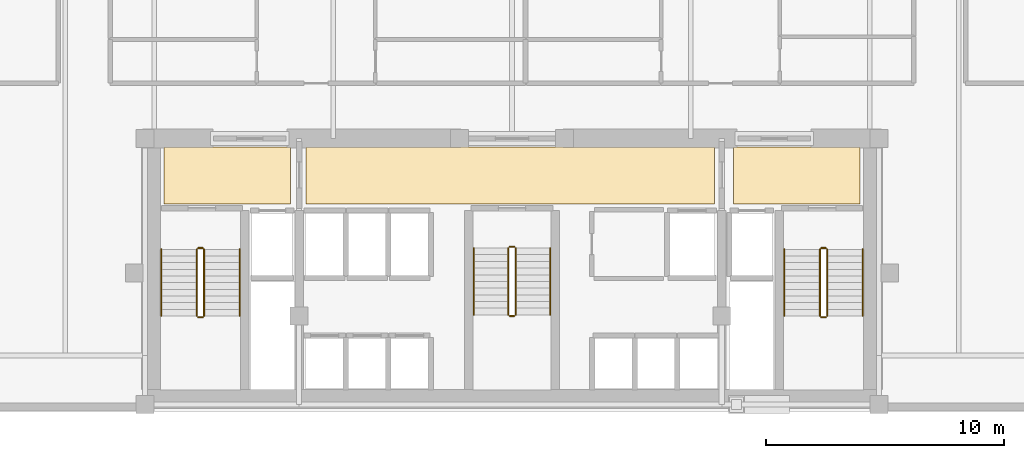
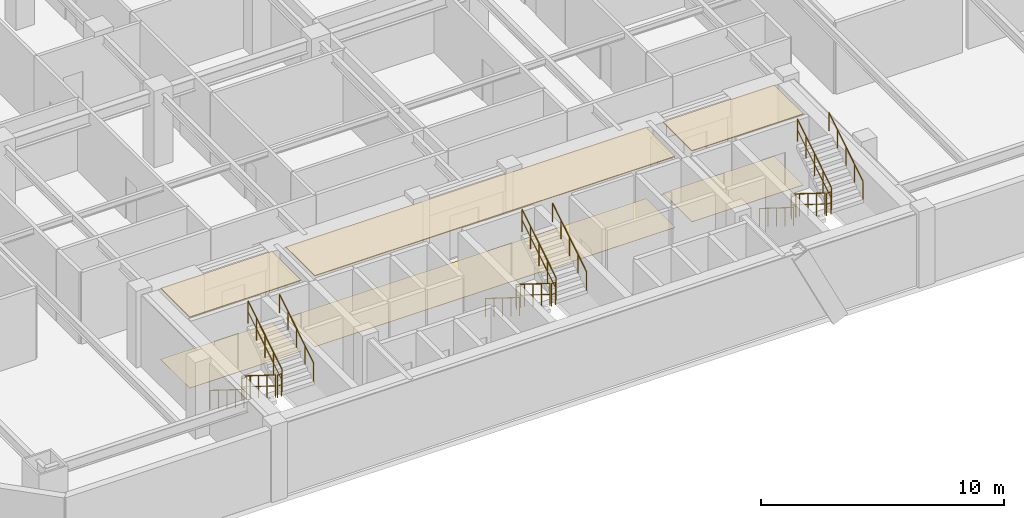
# One storey, part 8 of 8: 18 railings, 6 coverings.
"""IFC4 building model written with IfcOpenShell, lengths in metres."""

from ifc_helpers import new_model, si_unit, direction, frame, origin, origin_2d, place, context, subcontext, project, spatial, polyline, circle, outline, extrude, material, layer, layer_set, type_object, element, save


model = new_model("IFC4")

# Units and contexts
model_context = context("Model", 3, precision=1e-05, world=origin(), true_north=direction((0.0, 1.0)))
body_context = subcontext(model_context, "Body", "Model", "MODEL_VIEW")
ifc_project = project(units=[si_unit("LENGTHUNIT", "METRE"), si_unit("AREAUNIT", "SQUARE_METRE"), si_unit("VOLUMEUNIT", "CUBIC_METRE"), si_unit("PLANEANGLEUNIT", "RADIAN"), si_unit("MASSUNIT", "GRAM", prefix="KILO")], contexts=[model_context])

# Site, building, storey
site_placement = place(None, origin())
site = spatial("IfcSite", under=ifc_project, at=site_placement, CompositionType="ELEMENT")
building_placement = place(site_placement, origin())
building = spatial("IfcBuilding", under=site, at=building_placement, Name="Ventersveld Concourse Tower", CompositionType="ELEMENT")
storey_placement = place(building_placement, frame((0.0, 0.0, 37.5)))
storey = spatial("IfcBuildingStorey", under=building, at=storey_placement, Name="L08", CompositionType="ELEMENT", Elevation=37.5)

# Coverings
ifc_material_1 = material(Name="Mineral-fibre acoustic ceiling tile", Category="gypsum")
ifc_layer_1 = layer(ifc_material_1, 0.0400390625)
ifc_layer_set_1 = layer_set([ifc_layer_1], Name="Mineral-fibre acoustic ceiling tile")
covering_type_1 = type_object("IfcCoveringType", Name="COV-CEIL-ACOUSTIC", PredefinedType="CEILING", material=ifc_layer_set_1)
covering_1_placement = place(storey_placement, frame((0.0, 0.0, 3.56005859375)))
element("IfcCovering", 1, at=covering_1_placement, inside=storey, type_object=covering_type_1, Name="L08 North Lift Lobby Acoustic Ceiling", PredefinedType="CEILING", context=body_context, shape_type="SweptSolid", body=[
    extrude(outline(polyline([(20.10009765625, 8.699951171875), (37.25, 8.699951171875), (37.25, 11.10009765625), (20.10009765625, 11.10009765625), (20.10009765625, 8.699951171875)])), origin(), (0.0, 0.0, 1.0), 0.0400390625),
])
covering_2_placement = place(storey_placement, frame((0.0, 0.0, 3.56005859375)))
element("IfcCovering", 2, at=covering_2_placement, inside=storey, type_object=covering_type_1, Name="L08 West Firefighting Lobby Acoustic Ceiling", PredefinedType="CEILING", context=body_context, shape_type="SweptSolid", body=[
    extrude(outline(polyline([(14.14990234375, 8.699951171875), (19.449951171875, 8.699951171875), (19.449951171875, 11.10009765625), (14.14990234375, 11.10009765625), (14.14990234375, 8.699951171875)])), origin(), (0.0, 0.0, 1.0), 0.0400390625),
])
covering_3_placement = place(storey_placement, frame((0.0, 0.0, 3.56005859375)))
element("IfcCovering", 3, at=covering_3_placement, inside=storey, type_object=covering_type_1, Name="L08 East Firefighting Lobby Acoustic Ceiling", PredefinedType="CEILING", context=body_context, shape_type="SweptSolid", body=[
    extrude(outline(polyline([(38.050048828125, 8.699951171875), (43.35009765625, 8.699951171875), (43.35009765625, 11.10009765625), (38.050048828125, 11.10009765625), (38.050048828125, 8.699951171875)])), origin(), (0.0, 0.0, 1.0), 0.0400390625),
])
ifc_material_2 = material(Name="Polished Highveld granite terrazzo", Category="masonry")
ifc_layer_2 = layer(ifc_material_2, 0.02001953125)
ifc_layer_set_2 = layer_set([ifc_layer_2], Name="Polished Highveld granite terrazzo")
covering_type_2 = type_object("IfcCoveringType", Name="COV-FLOOR-TERRAZZO", PredefinedType="FLOORING", material=ifc_layer_set_2)
covering_4_placement = place(storey_placement, origin())
element("IfcCovering", 4, at=covering_4_placement, inside=storey, type_object=covering_type_2, Name="L08 North Lift Lobby Terrazzo Flooring", PredefinedType="FLOORING", context=body_context, shape_type="SweptSolid", body=[
    extrude(outline(polyline([(20.10009765625, 8.699951171875), (37.25, 8.699951171875), (37.25, 11.10009765625), (20.10009765625, 11.10009765625), (20.10009765625, 8.699951171875)])), origin(), (0.0, 0.0, 1.0), 0.02001953125),
])
covering_5_placement = place(storey_placement, origin())
element("IfcCovering", 5, at=covering_5_placement, inside=storey, type_object=covering_type_2, Name="L08 West Firefighting Lobby Terrazzo Flooring", PredefinedType="FLOORING", context=body_context, shape_type="SweptSolid", body=[
    extrude(outline(polyline([(14.14990234375, 8.699951171875), (19.449951171875, 8.699951171875), (19.449951171875, 11.10009765625), (14.14990234375, 11.10009765625), (14.14990234375, 8.699951171875)])), origin(), (0.0, 0.0, 1.0), 0.02001953125),
])
covering_6_placement = place(storey_placement, origin())
element("IfcCovering", 6, at=covering_6_placement, inside=storey, type_object=covering_type_2, Name="L08 East Firefighting Lobby Terrazzo Flooring", PredefinedType="FLOORING", context=body_context, shape_type="SweptSolid", body=[
    extrude(outline(polyline([(38.050048828125, 8.699951171875), (43.35009765625, 8.699951171875), (43.35009765625, 11.10009765625), (38.050048828125, 11.10009765625), (38.050048828125, 8.699951171875)])), origin(), (0.0, 0.0, 1.0), 0.02001953125),
])

# Railings
ifc_material_3 = material(Name="Brushed stainless steel 316", Category="steel")
railing_type_1 = type_object("IfcRailingType", Name="GD-BAL-115", PredefinedType="GUARDRAIL", material=ifc_material_3)
railing_1_placement = place(storey_placement, frame((15.530029296875, 6.800048828125, 0.175048828125)))
element("IfcRailing", 7, at=railing_1_placement, inside=storey, type_object=railing_type_1, Name="L08 ST-01 stair guard 1", PredefinedType="GUARDRAIL", context=body_context, shape_type="SweptSolid", body=[
    extrude(circle(Radius=0.02392578125, at=origin_2d()), frame((0.0, 0.0, 1.1259765625), z_axis=(0.0, -0.848002457836, 0.529992293815), x_axis=(1.0, 0.0, 0.0)), (0.0, 0.0, 1.0), 3.302001953125),
    extrude(circle(Radius=0.01611328125, at=origin_2d()), frame((0.0, 0.0, 0.574951171875), z_axis=(0.0, -0.848002457836, 0.529992293815), x_axis=(1.0, 0.0, 0.0)), (0.0, 0.0, 1.0), 3.302001953125),
    extrude(circle(Radius=0.02099609375, at=origin_2d()), origin(), (0.0, 0.0, 1.0), 1.101806640625),
    extrude(circle(Radius=0.02099609375, at=origin_2d()), frame((0.0, -0.699951171875, 0.4375)), (0.0, 0.0, 1.0), 1.101806640625),
    extrude(circle(Radius=0.02099609375, at=origin_2d()), frame((0.0, -1.39990234375, 0.875)), (0.0, 0.0, 1.0), 1.101806640625),
    extrude(circle(Radius=0.02099609375, at=origin_2d()), frame((0.0, -2.10009765625, 1.3125)), (0.0, 0.0, 1.0), 1.101806640625),
    extrude(circle(Radius=0.02099609375, at=origin_2d()), frame((0.0, -2.800048828125, 1.75)), (0.0, 0.0, 1.0), 1.101806640625),
])
railing_2_placement = place(storey_placement, frame((15.580078125, 3.949951171875, 1.925048828125)))
element("IfcRailing", 8, at=railing_2_placement, inside=storey, type_object=railing_type_1, Name="L08 ST-01 stair guard 2", PredefinedType="GUARDRAIL", context=body_context, shape_type="SweptSolid", body=[
    extrude(circle(Radius=0.02392578125, at=origin_2d()), frame((0.0, 0.0, 1.1259765625), z_axis=(1.0, 0.0, 0.0), x_axis=(0.0, 1.0, 0.0)), (0.0, 0.0, 1.0), 0.199951171875),
    extrude(circle(Radius=0.01611328125, at=origin_2d()), frame((0.0, 0.0, 0.574951171875), z_axis=(1.0, 0.0, 0.0), x_axis=(0.0, 1.0, 0.0)), (0.0, 0.0, 1.0), 0.199951171875),
    extrude(circle(Radius=0.02099609375, at=origin_2d()), origin(), (0.0, 0.0, 1.0), 1.101806640625),
    extrude(circle(Radius=0.02099609375, at=origin_2d()), frame((0.199951171875, 0.0, 0.0)), (0.0, 0.0, 1.0), 1.101806640625),
])
railing_3_placement = place(storey_placement, frame((15.830078125, 4.0, 2.10009765625)))
element("IfcRailing", 9, at=railing_3_placement, inside=storey, type_object=railing_type_1, Name="L08 ST-01 stair guard 3", PredefinedType="GUARDRAIL", context=body_context, shape_type="SweptSolid", body=[
    extrude(circle(Radius=0.02392578125, at=origin_2d()), frame((0.0, 0.0, 1.1259765625), z_axis=(0.0, 0.848002457836, 0.529992293815), x_axis=(-1.0, 0.0, 0.0)), (0.0, 0.0, 1.0), 3.302001953125),
    extrude(circle(Radius=0.01611328125, at=origin_2d()), frame((0.0, 0.0, 0.574951171875), z_axis=(0.0, 0.848002457836, 0.529992293815), x_axis=(-1.0, 0.0, 0.0)), (0.0, 0.0, 1.0), 3.302001953125),
    extrude(circle(Radius=0.02099609375, at=origin_2d()), origin(), (0.0, 0.0, 1.0), 1.101806640625),
    extrude(circle(Radius=0.02099609375, at=origin_2d()), frame((0.0, 0.699951171875, 0.4375)), (0.0, 0.0, 1.0), 1.101806640625),
    extrude(circle(Radius=0.02099609375, at=origin_2d()), frame((0.0, 1.39990234375, 0.875)), (0.0, 0.0, 1.0), 1.101806640625),
    extrude(circle(Radius=0.02099609375, at=origin_2d()), frame((0.0, 2.10009765625, 1.3125)), (0.0, 0.0, 1.0), 1.101806640625),
    extrude(circle(Radius=0.02099609375, at=origin_2d()), frame((0.0, 2.800048828125, 1.75)), (0.0, 0.0, 1.0), 1.101806640625),
])
railing_4_placement = place(storey_placement, frame((15.580078125, 6.85009765625, 0.0)))
element("IfcRailing", 10, at=railing_4_placement, inside=storey, type_object=railing_type_1, Name="L08 ST-01 stair guard 4", PredefinedType="GUARDRAIL", context=body_context, shape_type="SweptSolid", body=[
    extrude(circle(Radius=0.02392578125, at=origin_2d()), frame((0.0, 0.0, 1.1259765625), z_axis=(1.0, 0.0, 0.0), x_axis=(0.0, 1.0, 0.0)), (0.0, 0.0, 1.0), 0.199951171875),
    extrude(circle(Radius=0.01611328125, at=origin_2d()), frame((0.0, 0.0, 0.574951171875), z_axis=(1.0, 0.0, 0.0), x_axis=(0.0, 1.0, 0.0)), (0.0, 0.0, 1.0), 0.199951171875),
    extrude(circle(Radius=0.02099609375, at=origin_2d()), origin(), (0.0, 0.0, 1.0), 1.101806640625),
    extrude(circle(Radius=0.02099609375, at=origin_2d()), frame((0.199951171875, 0.0, 0.0)), (0.0, 0.0, 1.0), 1.101806640625),
])
railing_5_placement = place(storey_placement, frame((41.669921875, 6.800048828125, 0.175048828125)))
element("IfcRailing", 11, at=railing_5_placement, inside=storey, type_object=railing_type_1, Name="L08 ST-02 stair guard 1", PredefinedType="GUARDRAIL", context=body_context, shape_type="SweptSolid", body=[
    extrude(circle(Radius=0.02392578125, at=origin_2d()), frame((0.0, 0.0, 1.1259765625), z_axis=(0.0, -0.848002457836, 0.529992293815), x_axis=(1.0, 0.0, 0.0)), (0.0, 0.0, 1.0), 3.302001953125),
    extrude(circle(Radius=0.01611328125, at=origin_2d()), frame((0.0, 0.0, 0.574951171875), z_axis=(0.0, -0.848002457836, 0.529992293815), x_axis=(1.0, 0.0, 0.0)), (0.0, 0.0, 1.0), 3.302001953125),
    extrude(circle(Radius=0.02099609375, at=origin_2d()), origin(), (0.0, 0.0, 1.0), 1.101806640625),
    extrude(circle(Radius=0.02099609375, at=origin_2d()), frame((0.0, -0.699951171875, 0.4375)), (0.0, 0.0, 1.0), 1.101806640625),
    extrude(circle(Radius=0.02099609375, at=origin_2d()), frame((0.0, -1.39990234375, 0.875)), (0.0, 0.0, 1.0), 1.101806640625),
    extrude(circle(Radius=0.02099609375, at=origin_2d()), frame((0.0, -2.10009765625, 1.3125)), (0.0, 0.0, 1.0), 1.101806640625),
    extrude(circle(Radius=0.02099609375, at=origin_2d()), frame((0.0, -2.800048828125, 1.75)), (0.0, 0.0, 1.0), 1.101806640625),
])
railing_6_placement = place(storey_placement, frame((41.719970703125, 3.949951171875, 1.925048828125)))
element("IfcRailing", 12, at=railing_6_placement, inside=storey, type_object=railing_type_1, Name="L08 ST-02 stair guard 2", PredefinedType="GUARDRAIL", context=body_context, shape_type="SweptSolid", body=[
    extrude(circle(Radius=0.02392578125, at=origin_2d()), frame((0.0, 0.0, 1.1259765625), z_axis=(1.0, 0.0, 0.0), x_axis=(0.0, 1.0, 0.0)), (0.0, 0.0, 1.0), 0.199951171875),
    extrude(circle(Radius=0.01611328125, at=origin_2d()), frame((0.0, 0.0, 0.574951171875), z_axis=(1.0, 0.0, 0.0), x_axis=(0.0, 1.0, 0.0)), (0.0, 0.0, 1.0), 0.199951171875),
    extrude(circle(Radius=0.02099609375, at=origin_2d()), origin(), (0.0, 0.0, 1.0), 1.101806640625),
    extrude(circle(Radius=0.02099609375, at=origin_2d()), frame((0.199951171875, 0.0, 0.0)), (0.0, 0.0, 1.0), 1.101806640625),
])
railing_7_placement = place(storey_placement, frame((41.969970703125, 4.0, 2.10009765625)))
element("IfcRailing", 13, at=railing_7_placement, inside=storey, type_object=railing_type_1, Name="L08 ST-02 stair guard 3", PredefinedType="GUARDRAIL", context=body_context, shape_type="SweptSolid", body=[
    extrude(circle(Radius=0.02392578125, at=origin_2d()), frame((0.0, 0.0, 1.1259765625), z_axis=(0.0, 0.848002457836, 0.529992293815), x_axis=(-1.0, 0.0, 0.0)), (0.0, 0.0, 1.0), 3.302001953125),
    extrude(circle(Radius=0.01611328125, at=origin_2d()), frame((0.0, 0.0, 0.574951171875), z_axis=(0.0, 0.848002457836, 0.529992293815), x_axis=(-1.0, 0.0, 0.0)), (0.0, 0.0, 1.0), 3.302001953125),
    extrude(circle(Radius=0.02099609375, at=origin_2d()), origin(), (0.0, 0.0, 1.0), 1.101806640625),
    extrude(circle(Radius=0.02099609375, at=origin_2d()), frame((0.0, 0.699951171875, 0.4375)), (0.0, 0.0, 1.0), 1.101806640625),
    extrude(circle(Radius=0.02099609375, at=origin_2d()), frame((0.0, 1.39990234375, 0.875)), (0.0, 0.0, 1.0), 1.101806640625),
    extrude(circle(Radius=0.02099609375, at=origin_2d()), frame((0.0, 2.10009765625, 1.3125)), (0.0, 0.0, 1.0), 1.101806640625),
    extrude(circle(Radius=0.02099609375, at=origin_2d()), frame((0.0, 2.800048828125, 1.75)), (0.0, 0.0, 1.0), 1.101806640625),
])
railing_8_placement = place(storey_placement, frame((41.719970703125, 6.85009765625, 0.0)))
element("IfcRailing", 14, at=railing_8_placement, inside=storey, type_object=railing_type_1, Name="L08 ST-02 stair guard 4", PredefinedType="GUARDRAIL", context=body_context, shape_type="SweptSolid", body=[
    extrude(circle(Radius=0.02392578125, at=origin_2d()), frame((0.0, 0.0, 1.1259765625), z_axis=(1.0, 0.0, 0.0), x_axis=(0.0, 1.0, 0.0)), (0.0, 0.0, 1.0), 0.199951171875),
    extrude(circle(Radius=0.01611328125, at=origin_2d()), frame((0.0, 0.0, 0.574951171875), z_axis=(1.0, 0.0, 0.0), x_axis=(0.0, 1.0, 0.0)), (0.0, 0.0, 1.0), 0.199951171875),
    extrude(circle(Radius=0.02099609375, at=origin_2d()), origin(), (0.0, 0.0, 1.0), 1.101806640625),
    extrude(circle(Radius=0.02099609375, at=origin_2d()), frame((0.199951171875, 0.0, 0.0)), (0.0, 0.0, 1.0), 1.101806640625),
])
railing_9_placement = place(storey_placement, frame((28.60009765625, 6.85009765625, 0.175048828125)))
element("IfcRailing", 15, at=railing_9_placement, inside=storey, type_object=railing_type_1, Name="L08 ST-03 stair guard 1", PredefinedType="GUARDRAIL", context=body_context, shape_type="SweptSolid", body=[
    extrude(circle(Radius=0.02392578125, at=origin_2d()), frame((0.0, 0.0, 1.1259765625), z_axis=(0.0, -0.848002457836, 0.529992293815), x_axis=(1.0, 0.0, 0.0)), (0.0, 0.0, 1.0), 3.302001953125),
    extrude(circle(Radius=0.01611328125, at=origin_2d()), frame((0.0, 0.0, 0.574951171875), z_axis=(0.0, -0.848002457836, 0.529992293815), x_axis=(1.0, 0.0, 0.0)), (0.0, 0.0, 1.0), 3.302001953125),
    extrude(circle(Radius=0.02099609375, at=origin_2d()), origin(), (0.0, 0.0, 1.0), 1.101806640625),
    extrude(circle(Radius=0.02099609375, at=origin_2d()), frame((0.0, -0.699951171875, 0.4375)), (0.0, 0.0, 1.0), 1.101806640625),
    extrude(circle(Radius=0.02099609375, at=origin_2d()), frame((0.0, -1.39990234375, 0.875)), (0.0, 0.0, 1.0), 1.101806640625),
    extrude(circle(Radius=0.02099609375, at=origin_2d()), frame((0.0, -2.10009765625, 1.3125)), (0.0, 0.0, 1.0), 1.101806640625),
    extrude(circle(Radius=0.02099609375, at=origin_2d()), frame((0.0, -2.800048828125, 1.75)), (0.0, 0.0, 1.0), 1.101806640625),
])
railing_10_placement = place(storey_placement, frame((28.64990234375, 4.0, 1.925048828125)))
element("IfcRailing", 16, at=railing_10_placement, inside=storey, type_object=railing_type_1, Name="L08 ST-03 stair guard 2", PredefinedType="GUARDRAIL", context=body_context, shape_type="SweptSolid", body=[
    extrude(circle(Radius=0.02392578125, at=origin_2d()), frame((0.0, 0.0, 1.1259765625), z_axis=(1.0, 0.0, 0.0), x_axis=(0.0, 1.0, 0.0)), (0.0, 0.0, 1.0), 0.2001953125),
    extrude(circle(Radius=0.01611328125, at=origin_2d()), frame((0.0, 0.0, 0.574951171875), z_axis=(1.0, 0.0, 0.0), x_axis=(0.0, 1.0, 0.0)), (0.0, 0.0, 1.0), 0.2001953125),
    extrude(circle(Radius=0.02099609375, at=origin_2d()), origin(), (0.0, 0.0, 1.0), 1.101806640625),
    extrude(circle(Radius=0.02099609375, at=origin_2d()), frame((0.2001953125, 0.0, 0.0)), (0.0, 0.0, 1.0), 1.101806640625),
])
railing_11_placement = place(storey_placement, frame((28.89990234375, 4.050048828125, 2.10009765625)))
element("IfcRailing", 17, at=railing_11_placement, inside=storey, type_object=railing_type_1, Name="L08 ST-03 stair guard 3", PredefinedType="GUARDRAIL", context=body_context, shape_type="SweptSolid", body=[
    extrude(circle(Radius=0.02392578125, at=origin_2d()), frame((0.0, 0.0, 1.1259765625), z_axis=(0.0, 0.848002457836, 0.529992293815), x_axis=(-1.0, 0.0, 0.0)), (0.0, 0.0, 1.0), 3.302001953125),
    extrude(circle(Radius=0.01611328125, at=origin_2d()), frame((0.0, 0.0, 0.574951171875), z_axis=(0.0, 0.848002457836, 0.529992293815), x_axis=(-1.0, 0.0, 0.0)), (0.0, 0.0, 1.0), 3.302001953125),
    extrude(circle(Radius=0.02099609375, at=origin_2d()), origin(), (0.0, 0.0, 1.0), 1.101806640625),
    extrude(circle(Radius=0.02099609375, at=origin_2d()), frame((0.0, 0.699951171875, 0.4375)), (0.0, 0.0, 1.0), 1.101806640625),
    extrude(circle(Radius=0.02099609375, at=origin_2d()), frame((0.0, 1.39990234375, 0.875)), (0.0, 0.0, 1.0), 1.101806640625),
    extrude(circle(Radius=0.02099609375, at=origin_2d()), frame((0.0, 2.10009765625, 1.3125)), (0.0, 0.0, 1.0), 1.101806640625),
    extrude(circle(Radius=0.02099609375, at=origin_2d()), frame((0.0, 2.800048828125, 1.75)), (0.0, 0.0, 1.0), 1.101806640625),
])
railing_12_placement = place(storey_placement, frame((28.64990234375, 6.89990234375, 0.0)))
element("IfcRailing", 18, at=railing_12_placement, inside=storey, type_object=railing_type_1, Name="L08 ST-03 stair guard 4", PredefinedType="GUARDRAIL", context=body_context, shape_type="SweptSolid", body=[
    extrude(circle(Radius=0.02392578125, at=origin_2d()), frame((0.0, 0.0, 1.1259765625), z_axis=(1.0, 0.0, 0.0), x_axis=(0.0, 1.0, 0.0)), (0.0, 0.0, 1.0), 0.2001953125),
    extrude(circle(Radius=0.01611328125, at=origin_2d()), frame((0.0, 0.0, 0.574951171875), z_axis=(1.0, 0.0, 0.0), x_axis=(0.0, 1.0, 0.0)), (0.0, 0.0, 1.0), 0.2001953125),
    extrude(circle(Radius=0.02099609375, at=origin_2d()), origin(), (0.0, 0.0, 1.0), 1.101806640625),
    extrude(circle(Radius=0.02099609375, at=origin_2d()), frame((0.2001953125, 0.0, 0.0)), (0.0, 0.0, 1.0), 1.101806640625),
])
railing_type_2 = type_object("IfcRailingType", Name="HR-RMP-095", PredefinedType="HANDRAIL", material=ifc_material_3)
railing_13_placement = place(storey_placement, frame((14.030029296875, 6.800048828125, 0.175048828125)))
element("IfcRailing", 19, at=railing_13_placement, inside=storey, type_object=railing_type_2, Name="L08 ST-01 stair handrail 1", PredefinedType="HANDRAIL", context=body_context, shape_type="SweptSolid", body=[
    extrude(circle(Radius=0.02392578125, at=origin_2d()), frame((0.0, 0.0, 0.92578125), z_axis=(0.0, -0.848002457836, 0.529992293815), x_axis=(1.0, 0.0, 0.0)), (0.0, 0.0, 1.0), 3.302001953125),
    extrude(circle(Radius=0.02099609375, at=origin_2d()), origin(), (0.0, 0.0, 1.0), 0.90185546875),
    extrude(circle(Radius=0.02099609375, at=origin_2d()), frame((0.0, -0.699951171875, 0.4375)), (0.0, 0.0, 1.0), 0.90185546875),
    extrude(circle(Radius=0.02099609375, at=origin_2d()), frame((0.0, -1.39990234375, 0.875)), (0.0, 0.0, 1.0), 0.90185546875),
    extrude(circle(Radius=0.02099609375, at=origin_2d()), frame((0.0, -2.10009765625, 1.3125)), (0.0, 0.0, 1.0), 0.90185546875),
    extrude(circle(Radius=0.02099609375, at=origin_2d()), frame((0.0, -2.800048828125, 1.75)), (0.0, 0.0, 1.0), 0.90185546875),
])
railing_14_placement = place(storey_placement, frame((17.330078125, 4.0, 2.10009765625)))
element("IfcRailing", 20, at=railing_14_placement, inside=storey, type_object=railing_type_2, Name="L08 ST-01 stair handrail 2", PredefinedType="HANDRAIL", context=body_context, shape_type="SweptSolid", body=[
    extrude(circle(Radius=0.02392578125, at=origin_2d()), frame((0.0, 0.0, 0.92578125), z_axis=(0.0, 0.848002457836, 0.529992293815), x_axis=(-1.0, 0.0, 0.0)), (0.0, 0.0, 1.0), 3.302001953125),
    extrude(circle(Radius=0.02099609375, at=origin_2d()), origin(), (0.0, 0.0, 1.0), 0.90185546875),
    extrude(circle(Radius=0.02099609375, at=origin_2d()), frame((0.0, 0.699951171875, 0.4375)), (0.0, 0.0, 1.0), 0.90185546875),
    extrude(circle(Radius=0.02099609375, at=origin_2d()), frame((0.0, 1.39990234375, 0.875)), (0.0, 0.0, 1.0), 0.90185546875),
    extrude(circle(Radius=0.02099609375, at=origin_2d()), frame((0.0, 2.10009765625, 1.3125)), (0.0, 0.0, 1.0), 0.90185546875),
    extrude(circle(Radius=0.02099609375, at=origin_2d()), frame((0.0, 2.800048828125, 1.75)), (0.0, 0.0, 1.0), 0.90185546875),
])
railing_15_placement = place(storey_placement, frame((40.169921875, 6.800048828125, 0.175048828125)))
element("IfcRailing", 21, at=railing_15_placement, inside=storey, type_object=railing_type_2, Name="L08 ST-02 stair handrail 1", PredefinedType="HANDRAIL", context=body_context, shape_type="SweptSolid", body=[
    extrude(circle(Radius=0.02392578125, at=origin_2d()), frame((0.0, 0.0, 0.92578125), z_axis=(0.0, -0.848002457836, 0.529992293815), x_axis=(1.0, 0.0, 0.0)), (0.0, 0.0, 1.0), 3.302001953125),
    extrude(circle(Radius=0.02099609375, at=origin_2d()), origin(), (0.0, 0.0, 1.0), 0.90185546875),
    extrude(circle(Radius=0.02099609375, at=origin_2d()), frame((0.0, -0.699951171875, 0.4375)), (0.0, 0.0, 1.0), 0.90185546875),
    extrude(circle(Radius=0.02099609375, at=origin_2d()), frame((0.0, -1.39990234375, 0.875)), (0.0, 0.0, 1.0), 0.90185546875),
    extrude(circle(Radius=0.02099609375, at=origin_2d()), frame((0.0, -2.10009765625, 1.3125)), (0.0, 0.0, 1.0), 0.90185546875),
    extrude(circle(Radius=0.02099609375, at=origin_2d()), frame((0.0, -2.800048828125, 1.75)), (0.0, 0.0, 1.0), 0.90185546875),
])
railing_16_placement = place(storey_placement, frame((43.469970703125, 4.0, 2.10009765625)))
element("IfcRailing", 22, at=railing_16_placement, inside=storey, type_object=railing_type_2, Name="L08 ST-02 stair handrail 2", PredefinedType="HANDRAIL", context=body_context, shape_type="SweptSolid", body=[
    extrude(circle(Radius=0.02392578125, at=origin_2d()), frame((0.0, 0.0, 0.92578125), z_axis=(0.0, 0.848002457836, 0.529992293815), x_axis=(-1.0, 0.0, 0.0)), (0.0, 0.0, 1.0), 3.302001953125),
    extrude(circle(Radius=0.02099609375, at=origin_2d()), origin(), (0.0, 0.0, 1.0), 0.90185546875),
    extrude(circle(Radius=0.02099609375, at=origin_2d()), frame((0.0, 0.699951171875, 0.4375)), (0.0, 0.0, 1.0), 0.90185546875),
    extrude(circle(Radius=0.02099609375, at=origin_2d()), frame((0.0, 1.39990234375, 0.875)), (0.0, 0.0, 1.0), 0.90185546875),
    extrude(circle(Radius=0.02099609375, at=origin_2d()), frame((0.0, 2.10009765625, 1.3125)), (0.0, 0.0, 1.0), 0.90185546875),
    extrude(circle(Radius=0.02099609375, at=origin_2d()), frame((0.0, 2.800048828125, 1.75)), (0.0, 0.0, 1.0), 0.90185546875),
])
railing_17_placement = place(storey_placement, frame((27.14990234375, 6.85009765625, 0.175048828125)))
element("IfcRailing", 23, at=railing_17_placement, inside=storey, type_object=railing_type_2, Name="L08 ST-03 stair handrail 1", PredefinedType="HANDRAIL", context=body_context, shape_type="SweptSolid", body=[
    extrude(circle(Radius=0.02392578125, at=origin_2d()), frame((0.0, 0.0, 0.92578125), z_axis=(0.0, -0.848002457836, 0.529992293815), x_axis=(1.0, 0.0, 0.0)), (0.0, 0.0, 1.0), 3.302001953125),
    extrude(circle(Radius=0.02099609375, at=origin_2d()), origin(), (0.0, 0.0, 1.0), 0.90185546875),
    extrude(circle(Radius=0.02099609375, at=origin_2d()), frame((0.0, -0.699951171875, 0.4375)), (0.0, 0.0, 1.0), 0.90185546875),
    extrude(circle(Radius=0.02099609375, at=origin_2d()), frame((0.0, -1.39990234375, 0.875)), (0.0, 0.0, 1.0), 0.90185546875),
    extrude(circle(Radius=0.02099609375, at=origin_2d()), frame((0.0, -2.10009765625, 1.3125)), (0.0, 0.0, 1.0), 0.90185546875),
    extrude(circle(Radius=0.02099609375, at=origin_2d()), frame((0.0, -2.800048828125, 1.75)), (0.0, 0.0, 1.0), 0.90185546875),
])
railing_18_placement = place(storey_placement, frame((30.35009765625, 4.050048828125, 2.10009765625)))
element("IfcRailing", 24, at=railing_18_placement, inside=storey, type_object=railing_type_2, Name="L08 ST-03 stair handrail 2", PredefinedType="HANDRAIL", context=body_context, shape_type="SweptSolid", body=[
    extrude(circle(Radius=0.02392578125, at=origin_2d()), frame((0.0, 0.0, 0.92578125), z_axis=(0.0, 0.848002457836, 0.529992293815), x_axis=(-1.0, 0.0, 0.0)), (0.0, 0.0, 1.0), 3.302001953125),
    extrude(circle(Radius=0.02099609375, at=origin_2d()), origin(), (0.0, 0.0, 1.0), 0.90185546875),
    extrude(circle(Radius=0.02099609375, at=origin_2d()), frame((0.0, 0.699951171875, 0.4375)), (0.0, 0.0, 1.0), 0.90185546875),
    extrude(circle(Radius=0.02099609375, at=origin_2d()), frame((0.0, 1.39990234375, 0.875)), (0.0, 0.0, 1.0), 0.90185546875),
    extrude(circle(Radius=0.02099609375, at=origin_2d()), frame((0.0, 2.10009765625, 1.3125)), (0.0, 0.0, 1.0), 0.90185546875),
    extrude(circle(Radius=0.02099609375, at=origin_2d()), frame((0.0, 2.800048828125, 1.75)), (0.0, 0.0, 1.0), 0.90185546875),
])

save(model, "model.ifc")
